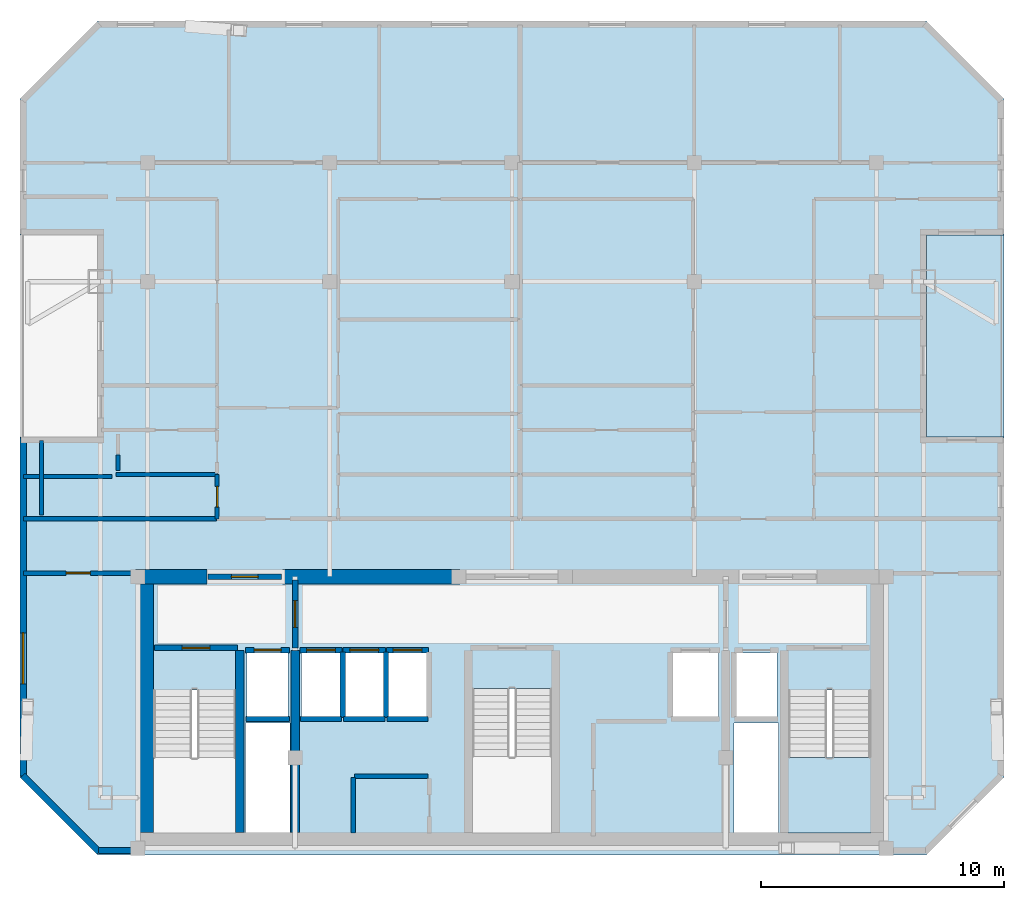
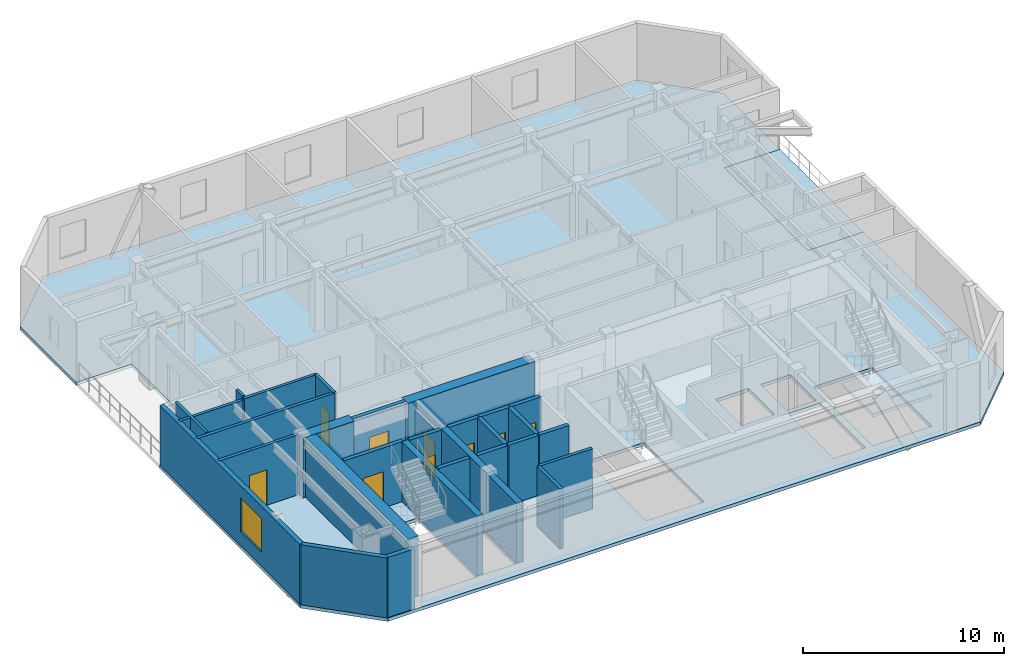
# One storey, part 2 of 7: 30 walls, 9 doors, 3 slabs, 1 window, 10 openings, 1 element without a shape of its own.
"""IFC4 building model written with IfcOpenShell, lengths in metres."""

from ifc_helpers import new_model, si_unit, direction, frame, frame_2d, origin, place, context, subcontext, project, spatial, polyline, rectangle, outline, extrude, material, layer, layer_set, type_object, element, fill, aggregate, save


model = new_model("IFC4")

# Units and contexts
model_context = context("Model", 3, precision=1e-05, world=origin(), true_north=direction((0.0, 1.0)))
body_context = subcontext(model_context, "Body", "Model", "MODEL_VIEW")
ifc_project = project(units=[si_unit("LENGTHUNIT", "METRE"), si_unit("AREAUNIT", "SQUARE_METRE"), si_unit("VOLUMEUNIT", "CUBIC_METRE"), si_unit("PLANEANGLEUNIT", "RADIAN"), si_unit("MASSUNIT", "GRAM", prefix="KILO")], contexts=[model_context])

# Site, building, storey
site_placement = place(None, origin())
site = spatial("IfcSite", under=ifc_project, at=site_placement, CompositionType="ELEMENT")
building_placement = place(site_placement, origin())
building = spatial("IfcBuilding", under=site, at=building_placement, Name="Ventersveld Concourse Tower", CompositionType="ELEMENT")
storey_placement = place(building_placement, frame((0.0, 0.0, 288.75)))
storey = spatial("IfcBuildingStorey", under=building, at=storey_placement, Name="L71", CompositionType="ELEMENT", Elevation=288.75)

# Slabs
ifc_material_1 = material(Name="Concrete C50/60", Category="concrete")
ifc_layer_1 = layer(ifc_material_1, 0.199951171875)
ifc_layer_set_1 = layer_set([ifc_layer_1], Name="Concrete C50/60")
slab_type_1 = type_object("IfcSlabType", Name="SL-FLR-200", PredefinedType="FLOOR", material=ifc_layer_set_1)
slab_1_placement = place(storey_placement, frame((0.0, 0.0, -0.199951171875)))
element("IfcSlab", 1, at=slab_1_placement, inside=storey, type_object=slab_type_1, Name="L71 Composite Floor Slab", PredefinedType="FLOOR", context=body_context, shape_type="SweptSolid", body=[
    extrude(outline(polyline([(11.6953125, 0.0), (45.8046875, 0.0), (49.004638671875, 3.199951171875), (49.004638671875, 17.210693359375), (45.8046875, 17.210693359375), (45.8046875, 25.510498046875), (49.004638671875, 25.510498046875), (49.004638671875, 31.12109375), (45.8046875, 34.3212890625), (11.6953125, 34.3212890625), (8.495361328125, 31.12109375), (8.495361328125, 25.510498046875), (11.6953125, 25.510498046875), (11.6953125, 17.210693359375), (8.495361328125, 17.210693359375), (8.495361328125, 3.199951171875), (11.6953125, 0.0)]), holes=[polyline([(13.97998046875, 6.794921875), (13.97998046875, 0.89990234375), (17.3798828125, 0.89990234375), (17.3798828125, 6.794921875), (13.97998046875, 6.794921875)]), polyline([(40.1201171875, 6.794921875), (40.1201171875, 0.89990234375), (43.52001953125, 0.89990234375), (43.52001953125, 6.794921875), (40.1201171875, 6.794921875)]), polyline([(27.10009765625, 6.844970703125), (27.10009765625, 0.89990234375), (30.39990234375, 0.89990234375), (30.39990234375, 6.844970703125), (27.10009765625, 6.844970703125)]), polyline([(17.85009765625, 5.699951171875), (19.530029296875, 5.699951171875), (19.530029296875, 8.300048828125), (17.85009765625, 8.300048828125), (17.85009765625, 5.699951171875)]), polyline([(37.969970703125, 5.699951171875), (39.64990234375, 5.699951171875), (39.64990234375, 8.300048828125), (37.969970703125, 8.300048828125), (37.969970703125, 5.699951171875)]), polyline([(35.35009765625, 5.699951171875), (37.25, 5.699951171875), (37.25, 8.300048828125), (35.35009765625, 8.300048828125), (35.35009765625, 5.699951171875)]), polyline([(20.090087890625, 5.699951171875), (21.68994140625, 5.699951171875), (21.68994140625, 8.300048828125), (20.090087890625, 8.300048828125), (20.090087890625, 5.699951171875)]), polyline([(21.8701171875, 5.699951171875), (23.469970703125, 5.699951171875), (23.469970703125, 8.300048828125), (21.8701171875, 8.300048828125), (21.8701171875, 5.699951171875)]), polyline([(23.64990234375, 5.699951171875), (25.25, 5.699951171875), (25.25, 8.300048828125), (23.64990234375, 8.300048828125), (23.64990234375, 5.699951171875)]), polyline([(17.780029296875, 0.919921875), (19.6201171875, 0.919921875), (19.6201171875, 5.419921875), (17.780029296875, 5.419921875), (17.780029296875, 0.919921875)]), polyline([(37.8798828125, 0.919921875), (39.719970703125, 0.919921875), (39.719970703125, 5.419921875), (37.8798828125, 5.419921875), (37.8798828125, 0.919921875)])]), origin(), (0.0, 0.0, 1.0), 0.199951171875),
])
slab_2_placement = place(storey_placement, frame((0.0, 0.0, -0.199951171875)))
element("IfcSlab", 2, at=slab_2_placement, inside=storey, type_object=slab_type_1, Name="L71 Outdoor Terrace Slab NOTCH-E", PredefinedType="FLOOR", context=body_context, shape_type="SweptSolid", body=[
    extrude(outline(polyline([(45.8046875, 17.210693359375), (49.004638671875, 17.210693359375), (49.004638671875, 25.510498046875), (45.8046875, 25.510498046875), (45.8046875, 17.210693359375)])), origin(), (0.0, 0.0, 1.0), 0.199951171875),
])

# Stair, slab
stair_type = type_object("IfcStairType", Name="ST-DOG-160", PredefinedType="HALF_TURN_STAIR", material=ifc_material_1)
stair_placement = place(storey_placement, origin())
stair = element("IfcStair", 3, at=stair_placement, inside=storey, type_object=stair_type, Name="L71 Protected Tower Escape Stair ST-02", PredefinedType="HALF_TURN_STAIR")
ifc_layer_2 = layer(ifc_material_1, 0.199951171875)
ifc_layer_set_2 = layer_set([ifc_layer_2], Name="Concrete C50/60")
slab_type_2 = type_object("IfcSlabType", Name="SL-LND-200", PredefinedType="LANDING", material=ifc_layer_set_2)
slab_3_placement = place(storey_placement, frame((0.0, 0.0, 1.72509765625)))
slab_3 = element("IfcSlab", 4, at=slab_3_placement, type_object=slab_type_2, Name="ST-02 landing 1", PredefinedType="LANDING", context=body_context, shape_type="SweptSolid", body=[
    extrude(outline(polyline([(40.1201171875, 4.0), (40.1201171875, 0.89990234375), (43.52001953125, 0.89990234375), (43.52001953125, 4.0), (40.1201171875, 4.0)])), origin(), (0.0, 0.0, 1.0), 0.199951171875),
])
aggregate(stair, [slab_3])

# Walls
ifc_layer_3 = layer(ifc_material_1, 0.35009765625)
ifc_layer_set_3 = layer_set([ifc_layer_3], Name="Concrete C50/60")
wall_type_1 = type_object("IfcWallType", Name="WL-CORE-350U", PredefinedType="SHEAR", material=ifc_layer_set_3)
for number, where, z_axis, x_axis, name in (
    (5, (17.5400390625, 0.919921875, 0.0), (0.0, 0.0, 1.0), (0.0, 1.0, 0.0), "L71 Core Internal Shear Web W-ST1-E"),
    (6, (19.820068359375, 0.919921875, 0.0), (0.0, 0.0, 1.0), (0.0, 1.0, 0.0), "L71 Core Internal Shear Web W-FF1-E"),
):
    element("IfcWall", number, at=place(storey_placement, frame(where, z_axis=z_axis, x_axis=x_axis)), inside=storey, type_object=wall_type_1, Name=name, PredefinedType="SHEAR", context=body_context, shape_type="SweptSolid", body=[
        extrude(rectangle(XDim=7.5, YDim=0.35009765625, at=frame_2d((3.75, 0.0))), origin(), (0.0, 0.0, 1.0), 3.64990234375),
    ])
ifc_layer_4 = layer(ifc_material_1, 0.60009765625)
ifc_layer_set_4 = layer_set([ifc_layer_4], Name="Concrete C50/60")
wall_type_2 = type_object("IfcWallType", Name="WL-CORE-600", PredefinedType="SHEAR", material=ifc_layer_set_4)
wall_1_placement = place(storey_placement, frame((13.699951171875, 0.919921875, 0.0), z_axis=(0.0, 0.0, 1.0), x_axis=(0.0, 1.0, 0.0)))
element("IfcWall", 7, at=wall_1_placement, inside=storey, type_object=wall_type_2, Name="L71 Rear Core West Shear Wall", PredefinedType="SHEAR", context=body_context, shape_type="SweptSolid", body=[
    extrude(rectangle(XDim=10.530029296875, YDim=0.60009765625, at=frame_2d((5.26513671875, 0.0))), origin(), (0.0, 0.0, 1.0), 3.64990234375),
])
wall_2_placement = place(storey_placement, frame((13.25, 11.449951171875, 0.0), z_axis=(0.0, 0.0, 1.0), x_axis=(1.0, 0.0, 0.0)))
element("IfcWall", 8, at=wall_2_placement, inside=storey, type_object=wall_type_2, Name="L71 Rear Core North Shear Wall NW", PredefinedType="SHEAR", context=body_context, shape_type="SweptSolid", body=[
    extrude(rectangle(XDim=2.949951171875, YDim=0.60009765625, at=frame_2d((1.47509765625, 0.0))), origin(), (0.0, 0.0, 1.0), 3.64990234375),
])
wall_3_placement = place(storey_placement, frame((19.300048828125, 11.449951171875, 0.0), z_axis=(0.0, 0.0, 1.0), x_axis=(1.0, 0.0, 0.0)))
element("IfcWall", 9, at=wall_3_placement, inside=storey, type_object=wall_type_2, Name="L71 Rear Core North Shear Wall NML", PredefinedType="SHEAR", context=body_context, shape_type="SweptSolid", body=[
    extrude(rectangle(XDim=7.300048828125, YDim=0.60009765625, at=frame_2d((3.64990234375, 0.0))), origin(), (0.0, 0.0, 1.0), 3.64990234375),
])
ifc_material_2 = material(Name="Fire-rated autoclaved aerated masonry blockwork", Category="masonry")
ifc_layer_5 = layer(ifc_material_2, 0.179931640625)
ifc_layer_set_5 = layer_set([ifc_layer_5], Name="Fire-rated autoclaved aerated masonry blockwork")
wall_type_3 = type_object("IfcWallType", Name="WL-CORR-180", PredefinedType="PARTITIONING", material=ifc_layer_set_5)
wall_4_placement = place(storey_placement, frame((22.260009765625, 3.22998046875, 0.0), z_axis=(0.0, 0.0, 1.0), x_axis=(1.0, 0.0, 0.0)))
element("IfcWall", 10, at=wall_4_placement, inside=storey, type_object=wall_type_3, Name="L71 Core Top Wall SP-L71-RECB1", PredefinedType="PARTITIONING", context=body_context, shape_type="SweptSolid", body=[
    extrude(rectangle(XDim=3.0400390625, YDim=0.179931640625, at=frame_2d((1.52001953125, 0.0))), origin(), (0.0, 0.0, 1.0), 3.64990234375),
])
wall_5_placement = place(storey_placement, frame((22.219970703125, 0.909912109375, 0.0), z_axis=(0.0, 0.0, 1.0), x_axis=(0.0, 1.0, 0.0)))
element("IfcWall", 11, at=wall_5_placement, inside=storey, type_object=wall_type_3, Name="L71 Core West Wall SP-L71-RECB1", PredefinedType="PARTITIONING", context=body_context, shape_type="SweptSolid", body=[
    extrude(rectangle(XDim=2.280029296875, YDim=0.179931640625, at=frame_2d((1.14013671875, 0.0))), origin(), (0.0, 0.0, 1.0), 3.64990234375),
])

# Wall, opening, door
wall_6_placement = place(storey_placement, frame((8.644775390625, 11.60009765625, 0.0), z_axis=(0.0, 0.0, 1.0), x_axis=(1.0, 0.0, 0.0)))
wall_6 = element("IfcWall", 12, at=wall_6_placement, inside=storey, type_object=wall_type_3, Name="L71 Interior Partition SP-L71-SW-GAL-SP-L71-COR", PredefinedType="PARTITIONING", context=body_context, shape_type="SweptSolid", body=[
    extrude(rectangle(XDim=4.500244140625, YDim=0.179931640625, at=frame_2d((2.25, 0.0))), origin(), (0.0, 0.0, 1.0), 3.64990234375),
])
opening_1_placement = place(wall_6_placement, frame((1.75, 0.0, 0.0)))
opening_1 = element("IfcOpeningElement", 13, at=opening_1_placement, cuts=wall_6, Name="Opening FD3", PredefinedType="OPENING", context=body_context, shape_type="SweptSolid", body=[
    extrude(rectangle(XDim=1.0, YDim=2.14990234375, at=frame_2d((0.5, 1.074951171875))), frame((0.0, 0.10009765625, 0.0), z_axis=(0.0, -1.0, 0.0), x_axis=(1.0, 0.0, 0.0)), (0.0, 0.0, 1.0), 0.199951171875),
])
ifc_material_3 = material(Name="Solid-core hardwood veneer timber", Category="wood")
door_type_1 = type_object("IfcDoorType", Name="DR-FLAT-100", OperationType="NOTDEFINED", PredefinedType="DOOR", material=ifc_material_3)
door_1_placement = place(opening_1_placement, origin())
door_1 = element("IfcDoor", 14, at=door_1_placement, inside=storey, type_object=door_type_1, Name="L71 Interior Door SP-L71-SW-GAL to SP-L71-COR (D-L71-3300)", OperationType="SINGLE_SWING_RIGHT", OverallHeight=2.14990234375, OverallWidth=1.0, PredefinedType="DOOR", context=body_context, shape_type="SweptSolid", body=[
    extrude(rectangle(XDim=1.0, YDim=2.14990234375, at=frame_2d((0.5, 1.074951171875))), frame((0.0, 0.02490234375, 0.0), z_axis=(0.0, -1.0, 0.0), x_axis=(1.0, 0.0, 0.0)), (0.0, 0.0, 1.0), 0.050048828125),
])
fill(opening_1, door_1)

# Walls
wall_7_placement = place(storey_placement, frame((8.644775390625, 13.830078125, 0.0), z_axis=(0.0, 0.0, 1.0), x_axis=(1.0, 0.0, 0.0)))
element("IfcWall", 15, at=wall_7_placement, inside=storey, type_object=wall_type_3, Name="L71 Interior Partition SP-L71-COR-SP-L71-71N1-BATH", PredefinedType="PARTITIONING", context=body_context, shape_type="SweptSolid", body=[
    extrude(rectangle(XDim=7.93212890625, YDim=0.179931640625, at=frame_2d((3.966064453125, 0.0))), origin(), (0.0, 0.0, 1.0), 3.64990234375),
])
ifc_layer_6 = layer(ifc_material_2, 0.219970703125)
ifc_layer_set_6 = layer_set([ifc_layer_6], Name="Fire-rated autoclaved aerated masonry blockwork")
wall_type_4 = type_object("IfcWallType", Name="WL-HOIST-220", PredefinedType="SOLIDWALL", material=ifc_layer_set_6)
wall_8_placement = place(storey_placement, frame((17.800048828125, 5.590087890625, 0.0), z_axis=(0.0, 0.0, 1.0), x_axis=(1.0, 0.0, 0.0)))
element("IfcWall", 16, at=wall_8_placement, inside=storey, type_object=wall_type_4, Name="L71 Lift Hoistway Back Wall FFL-01", PredefinedType="SOLIDWALL", context=body_context, shape_type="SweptSolid", body=[
    extrude(rectangle(XDim=1.780029296875, YDim=0.219970703125, at=frame_2d((0.89013671875, 0.0))), origin(), (0.0, 0.0, 1.0), 3.64990234375),
])

# Wall, opening, door
wall_9_placement = place(storey_placement, frame((17.780029296875, 8.429931640625, 0.0), z_axis=(0.0, 0.0, 1.0), x_axis=(1.0, 0.0, 0.0)))
wall_9 = element("IfcWall", 17, at=wall_9_placement, inside=storey, type_object=wall_type_4, Name="L71 Lift Hoistway Front Wall FFL-01", PredefinedType="SOLIDWALL", context=body_context, shape_type="SweptSolid", body=[
    extrude(rectangle(XDim=1.820068359375, YDim=0.219970703125, at=frame_2d((0.91015625, 0.0))), origin(), (0.0, 0.0, 1.0), 3.64990234375),
])
opening_2_placement = place(wall_9_placement, frame((0.35009765625, 0.0, 0.0)))
opening_2 = element("IfcOpeningElement", 18, at=opening_2_placement, cuts=wall_9, Name="Opening LD1", PredefinedType="OPENING", context=body_context, shape_type="SweptSolid", body=[
    extrude(rectangle(XDim=1.1201171875, YDim=2.25, at=frame_2d((0.56005859375, 1.125))), frame((0.0, 0.1201171875, 0.0), z_axis=(0.0, -1.0, 0.0), x_axis=(1.0, 0.0, 0.0)), (0.0, 0.0, 1.0), 0.239990234375),
])
ifc_material_4 = material(Name="Brushed stainless steel 316", Category="steel")
door_type_2 = type_object("IfcDoorType", Name="LD-FF-112", OperationType="SLIDING_TO_LEFT", PredefinedType="DOOR", material=ifc_material_4)
door_2_placement = place(opening_2_placement, origin())
door_2 = element("IfcDoor", 19, at=door_2_placement, inside=storey, type_object=door_type_2, Name="L71 Lift landing door FFL-01 (LD-L71-FFL-01)", OperationType="SLIDING_TO_RIGHT", OverallHeight=2.25, OverallWidth=1.1201171875, PredefinedType="DOOR", context=body_context, shape_type="SweptSolid", body=[
    extrude(rectangle(XDim=1.1201171875, YDim=2.25, at=frame_2d((0.56005859375, 1.125))), frame((0.0, 0.02490234375, 0.0), z_axis=(0.0, -1.0, 0.0), x_axis=(1.0, 0.0, 0.0)), (0.0, 0.0, 1.0), 0.050048828125),
])
fill(opening_2, door_2)

# Walls
wall_10_placement = place(storey_placement, frame((20.0400390625, 5.590087890625, 0.0), z_axis=(0.0, 0.0, 1.0), x_axis=(1.0, 0.0, 0.0)))
element("IfcWall", 20, at=wall_10_placement, inside=storey, type_object=wall_type_4, Name="L71 Lift Hoistway Back Wall PH-01", PredefinedType="SOLIDWALL", context=body_context, shape_type="SweptSolid", body=[
    extrude(rectangle(XDim=1.699951171875, YDim=0.219970703125, at=frame_2d((0.85009765625, 0.0))), origin(), (0.0, 0.0, 1.0), 3.64990234375),
])
wall_11_placement = place(storey_placement, frame((21.780029296875, 5.64990234375, 0.0), z_axis=(0.0, 0.0, 1.0), x_axis=(0.0, 1.0, 0.0)))
element("IfcWall", 21, at=wall_11_placement, inside=storey, type_object=wall_type_4, Name="L71 Lift Hoistway Side Wall PH-01E", PredefinedType="SOLIDWALL", context=body_context, shape_type="SweptSolid", body=[
    extrude(rectangle(XDim=2.7001953125, YDim=0.219970703125, at=frame_2d((1.35009765625, 0.0))), origin(), (0.0, 0.0, 1.0), 3.64990234375),
])

# Wall, opening, door
wall_12_placement = place(storey_placement, frame((20.02001953125, 8.429931640625, 0.0), z_axis=(0.0, 0.0, 1.0), x_axis=(1.0, 0.0, 0.0)))
wall_12 = element("IfcWall", 22, at=wall_12_placement, inside=storey, type_object=wall_type_4, Name="L71 Lift Hoistway Front Wall PH-01", PredefinedType="SOLIDWALL", context=body_context, shape_type="SweptSolid", body=[
    extrude(rectangle(XDim=1.739990234375, YDim=0.219970703125, at=frame_2d((0.8701171875, 0.0))), origin(), (0.0, 0.0, 1.0), 3.64990234375),
])
opening_3_placement = place(wall_12_placement, frame((0.280029296875, 0.0, 0.0)))
opening_3 = element("IfcOpeningElement", 23, at=opening_3_placement, cuts=wall_12, Name="Opening LD2", PredefinedType="OPENING", context=body_context, shape_type="SweptSolid", body=[
    extrude(rectangle(XDim=1.179931640625, YDim=2.199951171875, at=frame_2d((0.58984375, 1.10009765625))), frame((0.0, 0.1201171875, 0.0), z_axis=(0.0, -1.0, 0.0), x_axis=(1.0, 0.0, 0.0)), (0.0, 0.0, 1.0), 0.239990234375),
])
door_type_3 = type_object("IfcDoorType", Name="LD-PAX-118", OperationType="SLIDING_TO_LEFT", PredefinedType="DOOR", material=ifc_material_4)
door_3_placement = place(opening_3_placement, origin())
door_3 = element("IfcDoor", 24, at=door_3_placement, inside=storey, type_object=door_type_3, Name="L71 Lift landing door PH-01 (LD-L71-PH-01)", OperationType="SLIDING_TO_LEFT", OverallHeight=2.199951171875, OverallWidth=1.179931640625, PredefinedType="DOOR", context=body_context, shape_type="SweptSolid", body=[
    extrude(rectangle(XDim=1.179931640625, YDim=2.199951171875, at=frame_2d((0.58984375, 1.10009765625))), frame((0.0, 0.02490234375, 0.0), z_axis=(0.0, -1.0, 0.0), x_axis=(1.0, 0.0, 0.0)), (0.0, 0.0, 1.0), 0.050048828125),
])
fill(opening_3, door_3)

# Walls
wall_13_placement = place(storey_placement, frame((21.820068359375, 5.590087890625, 0.0), z_axis=(0.0, 0.0, 1.0), x_axis=(1.0, 0.0, 0.0)))
element("IfcWall", 25, at=wall_13_placement, inside=storey, type_object=wall_type_4, Name="L71 Lift Hoistway Back Wall PH-02", PredefinedType="SOLIDWALL", context=body_context, shape_type="SweptSolid", body=[
    extrude(rectangle(XDim=1.699951171875, YDim=0.219970703125, at=frame_2d((0.85009765625, 0.0))), origin(), (0.0, 0.0, 1.0), 3.64990234375),
])
wall_14_placement = place(storey_placement, frame((23.56005859375, 5.64990234375, 0.0), z_axis=(0.0, 0.0, 1.0), x_axis=(0.0, 1.0, 0.0)))
element("IfcWall", 26, at=wall_14_placement, inside=storey, type_object=wall_type_4, Name="L71 Lift Hoistway Side Wall PH-02E", PredefinedType="SOLIDWALL", context=body_context, shape_type="SweptSolid", body=[
    extrude(rectangle(XDim=2.7001953125, YDim=0.219970703125, at=frame_2d((1.35009765625, 0.0))), origin(), (0.0, 0.0, 1.0), 3.64990234375),
])

# Wall, opening, door
wall_15_placement = place(storey_placement, frame((21.800048828125, 8.429931640625, 0.0), z_axis=(0.0, 0.0, 1.0), x_axis=(1.0, 0.0, 0.0)))
wall_15 = element("IfcWall", 27, at=wall_15_placement, inside=storey, type_object=wall_type_4, Name="L71 Lift Hoistway Front Wall PH-02", PredefinedType="SOLIDWALL", context=body_context, shape_type="SweptSolid", body=[
    extrude(rectangle(XDim=1.739990234375, YDim=0.219970703125, at=frame_2d((0.8701171875, 0.0))), origin(), (0.0, 0.0, 1.0), 3.64990234375),
])
opening_4_placement = place(wall_15_placement, frame((0.280029296875, 0.0, 0.0)))
opening_4 = element("IfcOpeningElement", 28, at=opening_4_placement, cuts=wall_15, Name="Opening LD2", PredefinedType="OPENING", context=body_context, shape_type="SweptSolid", body=[
    extrude(rectangle(XDim=1.179931640625, YDim=2.199951171875, at=frame_2d((0.58984375, 1.10009765625))), frame((0.0, 0.1201171875, 0.0), z_axis=(0.0, -1.0, 0.0), x_axis=(1.0, 0.0, 0.0)), (0.0, 0.0, 1.0), 0.239990234375),
])
door_4_placement = place(opening_4_placement, origin())
door_4 = element("IfcDoor", 29, at=door_4_placement, inside=storey, type_object=door_type_3, Name="L71 Lift landing door PH-02 (LD-L71-PH-02)", OperationType="SLIDING_TO_RIGHT", OverallHeight=2.199951171875, OverallWidth=1.179931640625, PredefinedType="DOOR", context=body_context, shape_type="SweptSolid", body=[
    extrude(rectangle(XDim=1.179931640625, YDim=2.199951171875, at=frame_2d((0.58984375, 1.10009765625))), frame((0.0, 0.02490234375, 0.0), z_axis=(0.0, -1.0, 0.0), x_axis=(1.0, 0.0, 0.0)), (0.0, 0.0, 1.0), 0.050048828125),
])
fill(opening_4, door_4)

# Wall
wall_16_placement = place(storey_placement, frame((23.60009765625, 5.590087890625, 0.0), z_axis=(0.0, 0.0, 1.0), x_axis=(1.0, 0.0, 0.0)))
element("IfcWall", 30, at=wall_16_placement, inside=storey, type_object=wall_type_4, Name="L71 Lift Hoistway Back Wall PH-03", PredefinedType="SOLIDWALL", context=body_context, shape_type="SweptSolid", body=[
    extrude(rectangle(XDim=1.699951171875, YDim=0.219970703125, at=frame_2d((0.85009765625, 0.0))), origin(), (0.0, 0.0, 1.0), 3.64990234375),
])

# Wall, opening, door
wall_17_placement = place(storey_placement, frame((23.580078125, 8.429931640625, 0.0), z_axis=(0.0, 0.0, 1.0), x_axis=(1.0, 0.0, 0.0)))
wall_17 = element("IfcWall", 31, at=wall_17_placement, inside=storey, type_object=wall_type_4, Name="L71 Lift Hoistway Front Wall PH-03", PredefinedType="SOLIDWALL", context=body_context, shape_type="SweptSolid", body=[
    extrude(rectangle(XDim=1.739990234375, YDim=0.219970703125, at=frame_2d((0.8701171875, 0.0))), origin(), (0.0, 0.0, 1.0), 3.64990234375),
])
opening_5_placement = place(wall_17_placement, frame((0.280029296875, 0.0, 0.0)))
opening_5 = element("IfcOpeningElement", 32, at=opening_5_placement, cuts=wall_17, Name="Opening LD2", PredefinedType="OPENING", context=body_context, shape_type="SweptSolid", body=[
    extrude(rectangle(XDim=1.179931640625, YDim=2.199951171875, at=frame_2d((0.58984375, 1.10009765625))), frame((0.0, 0.1201171875, 0.0), z_axis=(0.0, -1.0, 0.0), x_axis=(1.0, 0.0, 0.0)), (0.0, 0.0, 1.0), 0.239990234375),
])
door_5_placement = place(opening_5_placement, origin())
door_5 = element("IfcDoor", 33, at=door_5_placement, inside=storey, type_object=door_type_3, Name="L71 Lift landing door PH-03 (LD-L71-PH-03)", OperationType="SLIDING_TO_LEFT", OverallHeight=2.199951171875, OverallWidth=1.179931640625, PredefinedType="DOOR", context=body_context, shape_type="SweptSolid", body=[
    extrude(rectangle(XDim=1.179931640625, YDim=2.199951171875, at=frame_2d((0.58984375, 1.10009765625))), frame((0.0, 0.02490234375, 0.0), z_axis=(0.0, -1.0, 0.0), x_axis=(1.0, 0.0, 0.0)), (0.0, 0.0, 1.0), 0.050048828125),
])
fill(opening_5, door_5)

wall_18_placement = place(storey_placement, frame((14.0400390625, 8.52001953125, 0.0), z_axis=(0.0, 0.0, 1.0), x_axis=(1.0, 0.0, 0.0)))
wall_18 = element("IfcWall", 34, at=wall_18_placement, inside=storey, type_object=wall_type_4, Name="L71 Escape Stair ST01 Fire Wall", PredefinedType="SOLIDWALL", context=body_context, shape_type="SweptSolid", body=[
    extrude(rectangle(XDim=3.39990234375, YDim=0.219970703125, at=frame_2d((1.699951171875, 0.0))), origin(), (0.0, 0.0, 1.0), 3.64990234375),
])
opening_6_placement = place(wall_18_placement, frame((1.125, 0.0, 0.0)))
opening_6 = element("IfcOpeningElement", 35, at=opening_6_placement, cuts=wall_18, Name="Opening FD1", PredefinedType="OPENING", context=body_context, shape_type="SweptSolid", body=[
    extrude(rectangle(XDim=1.14990234375, YDim=2.199951171875, at=frame_2d((0.574951171875, 1.10009765625))), frame((0.0, 0.1201171875, 0.0), z_axis=(0.0, -1.0, 0.0), x_axis=(1.0, 0.0, 0.0)), (0.0, 0.0, 1.0), 0.239990234375),
])
ifc_material_5 = material(Name="Galvanised painted steel", Category="steel")
door_type_4 = type_object("IfcDoorType", Name="DR-STAIR-115", OperationType="NOTDEFINED", PredefinedType="DOOR", material=ifc_material_5)
door_6_placement = place(opening_6_placement, origin())
door_6 = element("IfcDoor", 36, at=door_6_placement, inside=storey, type_object=door_type_4, Name="L71 Escape Stair Door ST01 (SD-L71-3290)", OperationType="SINGLE_SWING_LEFT", OverallHeight=2.199951171875, OverallWidth=1.14990234375, PredefinedType="DOOR", context=body_context, shape_type="SweptSolid", body=[
    extrude(rectangle(XDim=1.14990234375, YDim=2.199951171875, at=frame_2d((0.574951171875, 1.10009765625))), frame((0.0, 0.02490234375, 0.0), z_axis=(0.0, -1.0, 0.0), x_axis=(1.0, 0.0, 0.0)), (0.0, 0.0, 1.0), 0.050048828125),
])
fill(opening_6, door_6)

wall_19_placement = place(storey_placement, frame((19.820068359375, 8.52001953125, 0.0), z_axis=(0.0, 0.0, 1.0), x_axis=(0.0, 1.0, 0.0)))
wall_19 = element("IfcWall", 37, at=wall_19_placement, inside=storey, type_object=wall_type_4, Name="L71 Firefighting Lobby Smoke-Stop Wall FFLW-SEP", PredefinedType="SOLIDWALL", context=body_context, shape_type="SweptSolid", body=[
    extrude(rectangle(XDim=2.800048828125, YDim=0.219970703125, at=frame_2d((1.39990234375, 0.0))), origin(), (0.0, 0.0, 1.0), 3.10546875),
])
opening_7_placement = place(wall_19_placement, frame((0.85009765625, 0.0, 0.0)))
opening_7 = element("IfcOpeningElement", 38, at=opening_7_placement, cuts=wall_19, Name="Opening FD2", PredefinedType="OPENING", context=body_context, shape_type="SweptSolid", body=[
    extrude(rectangle(XDim=1.10009765625, YDim=2.199951171875, at=frame_2d((0.550048828125, 1.10009765625))), frame((0.0, 0.1201171875, 0.0), z_axis=(0.0, -1.0, 0.0), x_axis=(1.0, 0.0, 0.0)), (0.0, 0.0, 1.0), 0.239990234375),
])
door_type_5 = type_object("IfcDoorType", Name="DR-FFL-110", OperationType="NOTDEFINED", PredefinedType="DOOR", material=ifc_material_5)
door_7_placement = place(opening_7_placement, origin())
door_7 = element("IfcDoor", 39, at=door_7_placement, inside=storey, type_object=door_type_5, Name="L71 Firefighting Lobby Door FFLW-SEP (FD-L71-3293)", OperationType="SINGLE_SWING_LEFT", OverallHeight=2.199951171875, OverallWidth=1.10009765625, PredefinedType="DOOR", context=body_context, shape_type="SweptSolid", body=[
    extrude(rectangle(XDim=1.10009765625, YDim=2.199951171875, at=frame_2d((0.550048828125, 1.10009765625))), frame((0.0, 0.02490234375, 0.0), z_axis=(0.0, -1.0, 0.0), x_axis=(1.0, 0.0, 0.0)), (0.0, 0.0, 1.0), 0.050048828125),
])
fill(opening_7, door_7)

wall_20_placement = place(storey_placement, frame((16.22998046875, 11.449951171875, 0.0), z_axis=(0.0, 0.0, 1.0), x_axis=(1.0, 0.0, 0.0)))
wall_20 = element("IfcWall", 40, at=wall_20_placement, inside=storey, type_object=wall_type_4, Name="L71 Core North Fire Portal FFLW-OUT", PredefinedType="SOLIDWALL", context=body_context, shape_type="SweptSolid", body=[
    extrude(rectangle(XDim=3.0400390625, YDim=0.219970703125, at=frame_2d((1.52001953125, 0.0))), origin(), (0.0, 0.0, 1.0), 3.64990234375),
])
opening_8_placement = place(wall_20_placement, frame((0.969970703125, 0.0, 0.0)))
opening_8 = element("IfcOpeningElement", 41, at=opening_8_placement, cuts=wall_20, Name="Opening FD2", PredefinedType="OPENING", context=body_context, shape_type="SweptSolid", body=[
    extrude(rectangle(XDim=1.10009765625, YDim=2.199951171875, at=frame_2d((0.550048828125, 1.10009765625))), frame((0.0, 0.1201171875, 0.0), z_axis=(0.0, -1.0, 0.0), x_axis=(1.0, 0.0, 0.0)), (0.0, 0.0, 1.0), 0.239990234375),
])
door_8_placement = place(opening_8_placement, origin())
door_8 = element("IfcDoor", 42, at=door_8_placement, inside=storey, type_object=door_type_5, Name="L71 Core Lobby Fire Door FFLW-OUT (FD-L71-3295)", OperationType="SINGLE_SWING_RIGHT", OverallHeight=2.199951171875, OverallWidth=1.10009765625, PredefinedType="DOOR", context=body_context, shape_type="SweptSolid", body=[
    extrude(rectangle(XDim=1.10009765625, YDim=2.199951171875, at=frame_2d((0.550048828125, 1.10009765625))), frame((0.0, 0.02490234375, 0.0), z_axis=(0.0, -1.0, 0.0), x_axis=(1.0, 0.0, 0.0)), (0.0, 0.0, 1.0), 0.050048828125),
])
fill(opening_8, door_8)

# Wall
ifc_material_6 = material(Name="Precast concrete C45/55", Category="concrete")
ifc_layer_7 = layer(ifc_material_6, 0.260009765625)
ifc_layer_set_7 = layer_set([ifc_layer_7], Name="Precast concrete C45/55")
wall_type_5 = type_object("IfcWallType", Name="WL-PREC-260", PredefinedType="SOLIDWALL", material=ifc_layer_set_7)
wall_21_placement = place(storey_placement, frame((11.7353515625, 0.179931640625, 0.0), z_axis=(0.0, 0.0, 1.0), x_axis=(1.0, 0.0, 0.0)))
element("IfcWall", 43, at=wall_21_placement, inside=storey, type_object=wall_type_5, Name="L71 South-West Flank Precast Wall", PredefinedType="SOLIDWALL", context=body_context, shape_type="SweptSolid", body=[
    extrude(rectangle(XDim=1.5146484375, YDim=0.260009765625, at=frame_2d((0.75732421875, 0.0))), origin(), (0.0, 0.0, 1.0), 3.64990234375),
])

# Wall, opening, window
wall_22_placement = place(storey_placement, frame((8.625244140625, 17.170654296875, 0.0), z_axis=(0.0, 0.0, 1.0), x_axis=(0.0, -1.0, 0.0)))
wall_22 = element("IfcWall", 44, at=wall_22_placement, inside=storey, type_object=wall_type_5, Name="L71 Highveld Precast Facade Wall E15", PredefinedType="SOLIDWALL", context=body_context, shape_type="SweptSolid", body=[
    extrude(rectangle(XDim=13.9306640625, YDim=0.260009765625, at=frame_2d((6.96533203125, 0.0))), origin(), (0.0, 0.0, 1.0), 3.64990234375),
])
opening_9_placement = place(wall_22_placement, frame((8.030517578125, 0.0, 0.85009765625)))
opening_9 = element("IfcOpeningElement", 45, at=opening_9_placement, cuts=wall_22, Name="Opening W7", PredefinedType="OPENING", context=body_context, shape_type="SweptSolid", body=[
    extrude(rectangle(XDim=2.10009765625, YDim=2.050048828125, at=frame_2d((1.050048828125, 1.02490234375))), frame((0.0, 0.14013671875, 0.0), z_axis=(0.0, -1.0, 0.0), x_axis=(1.0, 0.0, 0.0)), (0.0, 0.0, 1.0), 0.280029296875),
])
ifc_material_7 = material(Name="Tempered acoustic Low-E IGU", Category="glass")
window_type = type_object("IfcWindowType", Name="WIN-210x205", PartitioningType="SINGLE_PANEL", PredefinedType="WINDOW", material=ifc_material_7)
window_placement = place(opening_9_placement, origin())
window = element("IfcWindow", 46, at=window_placement, inside=storey, type_object=window_type, Name="L71 Punched Low-E Window W-1009", OverallHeight=2.050048828125, OverallWidth=2.10009765625, PartitioningType="SINGLE_PANEL", PredefinedType="WINDOW", context=body_context, shape_type="SweptSolid", body=[
    extrude(rectangle(XDim=2.10009765625, YDim=2.050048828125, at=frame_2d((1.050048828125, 1.02490234375))), frame((0.0, 0.030029296875, 0.0), z_axis=(0.0, -1.0, 0.0), x_axis=(1.0, 0.0, 0.0)), (0.0, 0.0, 1.0), 0.06005859375),
])
fill(opening_9, window)

# Wall
wall_23_placement = place(storey_placement, frame((8.615478515625, 3.263671875, 0.0), z_axis=(0.0, 0.0, 1.0), x_axis=(0.707079321262, -0.707134240044, 0.0)))
element("IfcWall", 47, at=wall_23_placement, inside=storey, type_object=wall_type_5, Name="L71 Highveld Precast Facade Wall E16", PredefinedType="SOLIDWALL", context=body_context, shape_type="SweptSolid", body=[
    extrude(rectangle(XDim=4.445556640625, YDim=0.260009765625, at=frame_2d((2.22265625, 0.0))), origin(), (0.0, 0.0, 1.0), 3.64990234375),
])

# Wall, opening, door
ifc_material_8 = material(Name="Autoclaved aerated masonry blockwork", Category="masonry")
ifc_layer_8 = layer(ifc_material_8, 0.1650390625)
ifc_layer_set_8 = layer_set([ifc_layer_8], Name="Autoclaved aerated masonry blockwork")
wall_type_6 = type_object("IfcWallType", Name="WL-WET-165", PredefinedType="PLUMBINGWALL", material=ifc_layer_set_8)
wall_24_placement = place(storey_placement, frame((16.61181640625, 13.824951171875, 0.0), z_axis=(0.0, 0.0, 1.0), x_axis=(0.0, 1.0, 0.0)))
wall_24 = element("IfcWall", 48, at=wall_24_placement, inside=storey, type_object=wall_type_6, Name="L71 Interior Partition SP-L71-71N1-FOY-SP-L71-71N1-BATH", PredefinedType="PLUMBINGWALL", context=body_context, shape_type="SweptSolid", body=[
    extrude(rectangle(XDim=1.840087890625, YDim=0.1650390625, at=frame_2d((0.919921875, 0.0))), origin(), (0.0, 0.0, 1.0), 3.64990234375),
])
opening_10_placement = place(wall_24_placement, frame((0.4951171875, 0.0, 0.0)))
opening_10 = element("IfcOpeningElement", 49, at=opening_10_placement, cuts=wall_24, Name="Opening ID2", PredefinedType="OPENING", context=body_context, shape_type="SweptSolid", body=[
    extrude(rectangle(XDim=0.85009765625, YDim=2.10009765625, at=frame_2d((0.425048828125, 1.050048828125))), frame((0.0, 0.092529296875, 0.0), z_axis=(0.0, -1.0, 0.0), x_axis=(1.0, 0.0, 0.0)), (0.0, 0.0, 1.0), 0.18505859375),
])
door_type_6 = type_object("IfcDoorType", Name="DR-BATH-085", OperationType="NOTDEFINED", PredefinedType="DOOR", material=ifc_material_3)
door_9_placement = place(opening_10_placement, origin())
door_9 = element("IfcDoor", 50, at=door_9_placement, inside=storey, type_object=door_type_6, Name="L71 Interior Door SP-L71-71N1-FOY to SP-L71-71N1-BATH (D-L71-3305)", OperationType="SINGLE_SWING_LEFT", OverallHeight=2.10009765625, OverallWidth=0.85009765625, PredefinedType="DOOR", context=body_context, shape_type="SweptSolid", body=[
    extrude(rectangle(XDim=0.85009765625, YDim=2.10009765625, at=frame_2d((0.425048828125, 1.050048828125))), frame((0.0, 0.02490234375, 0.0), z_axis=(0.0, -1.0, 0.0), x_axis=(1.0, 0.0, 0.0)), (0.0, 0.0, 1.0), 0.050048828125),
])
fill(opening_10, door_9)

# Walls
wall_25_placement = place(storey_placement, frame((12.440185546875, 15.659912109375, 0.0), z_axis=(0.0, 0.0, 1.0), x_axis=(1.0, 0.0, 0.0)))
element("IfcWall", 51, at=wall_25_placement, inside=storey, type_object=wall_type_6, Name="L71 Interior Partition SP-L71-71N1-BATH-SP-L71-71N1-PWDL2", PredefinedType="PLUMBINGWALL", context=body_context, shape_type="SweptSolid", body=[
    extrude(rectangle(XDim=4.1767578125, YDim=0.1650390625, at=frame_2d((2.08837890625, 0.0))), origin(), (0.0, 0.0, 1.0), 3.64990234375),
])
wall_26_placement = place(storey_placement, frame((8.644775390625, 15.570068359375, 0.0), z_axis=(0.0, 0.0, 1.0), x_axis=(1.0, 0.0, 0.0)))
element("IfcWall", 52, at=wall_26_placement, inside=storey, type_object=wall_type_6, Name="L71 Room Enclosure Wall SP-L71-71N1-BATH", PredefinedType="PLUMBINGWALL", context=body_context, shape_type="SweptSolid", body=[
    extrude(rectangle(XDim=3.64697265625, YDim=0.1650390625, at=frame_2d((1.823486328125, 0.0))), origin(), (0.0, 0.0, 1.0), 3.64990234375),
])
wall_27_placement = place(storey_placement, frame((9.375244140625, 13.9951171875, 0.0), z_axis=(0.0, 0.0, 1.0), x_axis=(0.0, 1.0, 0.0)))
element("IfcWall", 53, at=wall_27_placement, inside=storey, type_object=wall_type_6, Name="L71 Room Enclosure Wall SP-L71-71N1-BATH", PredefinedType="PLUMBINGWALL", context=body_context, shape_type="SweptSolid", body=[
    extrude(rectangle(XDim=3.06591796875, YDim=0.1650390625, at=frame_2d((1.532958984375, 0.0))), origin(), (0.0, 0.0, 1.0), 3.64990234375),
])
wall_28_placement = place(storey_placement, frame((12.535400390625, 15.824951171875, 0.0), z_axis=(0.0, 0.0, 1.0), x_axis=(0.0, 1.0, 0.0)))
element("IfcWall", 54, at=wall_28_placement, inside=storey, type_object=wall_type_6, Name="L71 Room Enclosure Wall SP-L71-71N1-PWDL2", PredefinedType="PLUMBINGWALL", context=body_context, shape_type="SweptSolid", body=[
    extrude(rectangle(XDim=0.640625, YDim=0.1650390625, at=frame_2d((0.3203125, 0.0))), origin(), (0.0, 0.0, 1.0), 3.64990234375),
])

save(model, "model.ifc")
